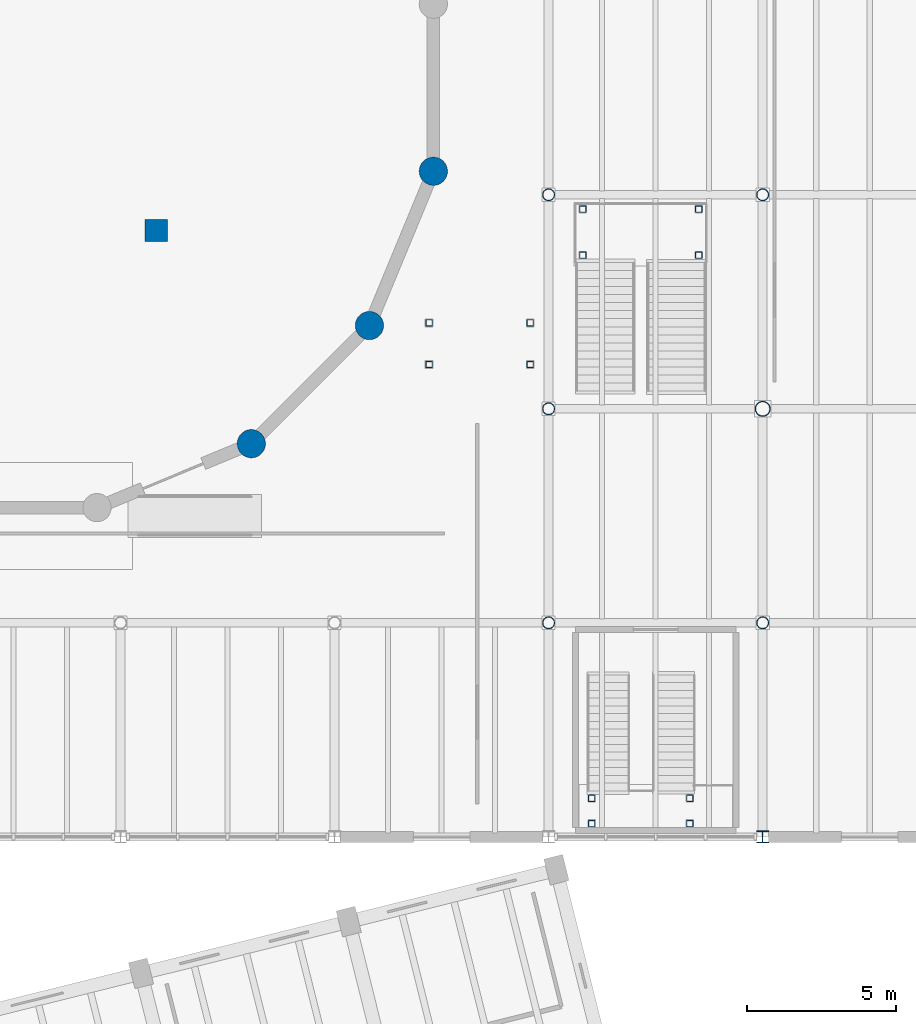
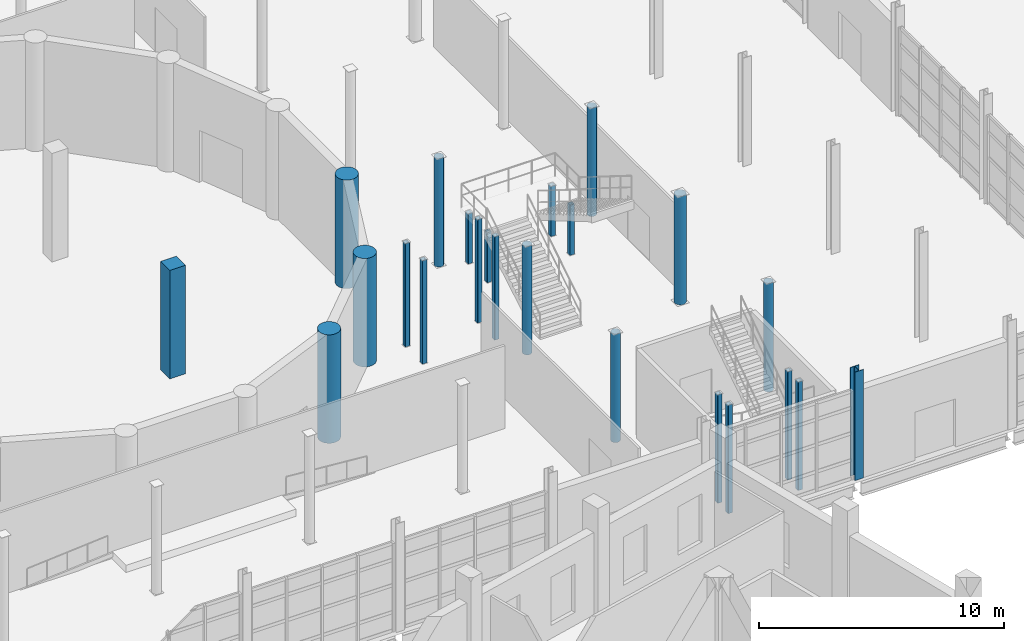
# One storey, part 7 of 79: 23 columns.
"""IFC4 building model written with IfcOpenShell, lengths in metres."""

from ifc_helpers import new_model, si_unit, direction, frame, origin, origin_2d, place, context, subcontext, project, spatial, rectangle, hollow_rectangle, circle, hollow_circle, i_section, extrude, material, material_profile, profile_set, type_object, element, save


model = new_model("IFC4")

# Units and contexts
model_context = context("Model", 3, precision=1e-05, world=origin(), true_north=direction((0.0, 1.0)))
body_context = subcontext(model_context, "Body", "Model", "MODEL_VIEW")
ifc_project = project(units=[si_unit("LENGTHUNIT", "METRE"), si_unit("AREAUNIT", "SQUARE_METRE"), si_unit("VOLUMEUNIT", "CUBIC_METRE"), si_unit("PLANEANGLEUNIT", "RADIAN"), si_unit("MASSUNIT", "GRAM", prefix="KILO")], contexts=[model_context])

# Site, building, storey
site_placement = place(None, origin())
site = spatial("IfcSite", under=ifc_project, at=site_placement, CompositionType="ELEMENT")
building_placement = place(site_placement, origin())
building = spatial("IfcBuilding", under=site, at=building_placement, Name="Qiaolan Assembly House", CompositionType="ELEMENT")
storey_placement = place(building_placement, origin())
storey = spatial("IfcBuildingStorey", under=building, at=storey_placement, Name="L00", CompositionType="ELEMENT", Elevation=0.0)

# Columns
ifc_material_1 = material(Name="Concrete C50/60", Category="concrete")
ifc_material_profile_1 = material_profile(ifc_material_1, circle(Radius=0.47509765625, at=origin_2d()), Name="CIRC D950")
ifc_profile_set_1 = profile_set([ifc_material_profile_1], Name="Concrete C50/60")
column_type_1 = type_object("IfcColumnType", Name="COL-DRUM-D950", PredefinedType="COLUMN", material=ifc_profile_set_1)
for number, where, z_axis, x_axis, name in (
    (1, (76.400146484375, 49.226806640625, 0.0), (0.0, 0.0, 1.0), (1.0, 0.0, 0.0), "DC-01 chamber drum pier 14 L00"),
    (2, (80.373046875, 53.19970703125, 0.0), (0.0, 0.0, 1.0), (1.0, 0.0, 0.0), "DC-01 chamber drum pier 15 L00"),
    (3, (82.523193359375, 58.390625, 0.0), (0.0, 0.0, 1.0), (1.0, 0.0, 0.0), "DC-01 chamber drum pier 16 L00"),
):
    element("IfcColumn", number, at=place(storey_placement, frame(where, z_axis=z_axis, x_axis=x_axis)), inside=storey, type_object=column_type_1, Name=name, PredefinedType="COLUMN", context=body_context, shape_type="SweptSolid", body=[
        extrude(circle(Radius=0.47509765625, at=origin_2d()), origin(), (0.0, 0.0, 1.0), 5.39990234375),
    ])
ifc_material_2 = material(Name="Concrete C45/55", Category="concrete")
ifc_material_profile_2 = material_profile(ifc_material_2, rectangle(XDim=0.75, YDim=0.75, at=origin_2d()), Name="RC 750x750")
ifc_profile_set_2 = profile_set([ifc_material_profile_2], Name="Concrete C45/55")
column_type_2 = type_object("IfcColumnType", Name="COL-RC-750", PredefinedType="COLUMN", material=ifc_profile_set_2)
column_1_placement = place(storey_placement, frame((73.199951171875, 56.39990234375, 0.0), z_axis=(0.0, 0.0, 1.0), x_axis=(1.0, 0.0, 0.0)))
element("IfcColumn", 4, at=column_1_placement, inside=storey, type_object=column_type_2, Name="RC-06 chamber undercroft column 2 L00", PredefinedType="COLUMN", context=body_context, shape_type="SweptSolid", body=[
    extrude(rectangle(XDim=0.75, YDim=0.75, at=origin_2d()), origin(), (0.0, 0.0, 1.0), 5.39990234375),
])
ifc_material_3 = material(Name="Steel Q355B", Category="steel")
ifc_material_profile_3 = material_profile(ifc_material_3, hollow_circle(Radius=0.203125, WallThickness=0.013916015625, at=origin_2d()), Name="CHS 406.4x14")
ifc_profile_set_3 = profile_set([ifc_material_profile_3], Name="Steel Q355B")
column_type_3 = type_object("IfcColumnType", Name="COL-STL-CHS406", PredefinedType="COLUMN", material=ifc_profile_set_3)
for number, where, z_axis, x_axis, name in (
    (5, (86.39990234375, 43.199951171875, 0.0), (0.0, 0.0, 1.0), (1.0, 0.0, 0.0), "SC-06 hall column L00"),
    (6, (86.39990234375, 50.39990234375, 0.0), (0.0, 0.0, 1.0), (1.0, 0.0, 0.0), "SC-06 hall column L00"),
    (7, (86.39990234375, 57.60009765625, 0.0), (0.0, 0.0, 1.0), (1.0, 0.0, 0.0), "SC-06 hall column L00"),
    (8, (93.60009765625, 43.199951171875, 0.0), (0.0, 0.0, 1.0), (1.0, 0.0, 0.0), "SC-06 hall column L00"),
    (9, (93.60009765625, 57.60009765625, 0.0), (0.0, 0.0, 1.0), (1.0, 0.0, 0.0), "SC-06 hall column L00"),
):
    element("IfcColumn", number, at=place(storey_placement, frame(where, z_axis=z_axis, x_axis=x_axis)), inside=storey, type_object=column_type_3, Name=name, PredefinedType="COLUMN", context=body_context, shape_type="SweptSolid", body=[
        extrude(hollow_circle(Radius=0.203125, WallThickness=0.013916015625, at=origin_2d()), origin(), (0.0, 0.0, 1.0), 5.39990234375),
    ])
ifc_material_profile_4 = material_profile(ifc_material_3, hollow_circle(Radius=0.25390625, WallThickness=0.01611328125, at=origin_2d()), Name="CHS 508x16")
ifc_profile_set_4 = profile_set([ifc_material_profile_4], Name="Steel Q355B")
column_type_4 = type_object("IfcColumnType", Name="COL-STL-CHS508", PredefinedType="COLUMN", material=ifc_profile_set_4)
column_2_placement = place(storey_placement, frame((93.60009765625, 50.39990234375, 0.0), z_axis=(0.0, 0.0, 1.0), x_axis=(1.0, 0.0, 0.0)))
element("IfcColumn", 10, at=column_2_placement, inside=storey, type_object=column_type_4, Name="SC-07 hall column L00", PredefinedType="COLUMN", context=body_context, shape_type="SweptSolid", body=[
    extrude(hollow_circle(Radius=0.25390625, WallThickness=0.01611328125, at=origin_2d()), origin(), (0.0, 0.0, 1.0), 5.39990234375),
])
ifc_material_profile_5 = material_profile(ifc_material_3, i_section(OverallWidth=0.39990234375, OverallDepth=0.39990234375, WebThickness=0.012939453125, FlangeThickness=0.02099609375, FilletRadius=0.02197265625, at=origin_2d()), Name="HW 400x400x13x21")
ifc_profile_set_5 = profile_set([ifc_material_profile_5], Name="Steel Q355B")
column_type_5 = type_object("IfcColumnType", Name="COL-STL-HW400", PredefinedType="COLUMN", material=ifc_profile_set_5)
column_3_placement = place(storey_placement, frame((93.60009765625, 36.0, 0.0), z_axis=(0.0, 0.0, 1.0), x_axis=(1.0, 0.0, 0.0)))
element("IfcColumn", 11, at=column_3_placement, inside=storey, type_object=column_type_5, Name="SC-01 hall column L00", PredefinedType="COLUMN", context=body_context, shape_type="SweptSolid", body=[
    extrude(i_section(OverallWidth=0.39990234375, OverallDepth=0.39990234375, WebThickness=0.012939453125, FlangeThickness=0.02099609375, FilletRadius=0.02197265625, at=origin_2d()), origin(), (0.0, 0.0, 1.0), 5.39990234375),
])
ifc_material_profile_6 = material_profile(ifc_material_3, hollow_rectangle(XDim=0.219970703125, YDim=0.219970703125, WallThickness=0.010009765625, InnerFilletRadius=0.010009765625, OuterFilletRadius=0.02001953125, at=origin_2d()), Name="SHS 220x220x10")
ifc_profile_set_6 = profile_set([ifc_material_profile_6], Name="Steel Q355B")
column_type_6 = type_object("IfcColumnType", Name="COL-STL-SHS220", PredefinedType="COLUMN", material=ifc_profile_set_6)
for number, where, z_axis, x_axis, name in (
    (12, (87.550048828125, 55.570068359375, 0.0), (0.0, 0.0, 1.0), (1.0, 0.0, 0.0), "SC-08 ceremonial stair support column ST-H2-1"),
    (13, (91.449951171875, 55.570068359375, 0.0), (0.0, 0.0, 1.0), (1.0, 0.0, 0.0), "SC-08 ceremonial stair support column ST-H2-2"),
    (14, (87.550048828125, 57.1201171875, 0.0), (0.0, 0.0, 1.0), (1.0, 0.0, 0.0), "SC-08 ceremonial stair support column ST-H2-3"),
    (15, (91.449951171875, 57.1201171875, 0.0), (0.0, 0.0, 1.0), (1.0, 0.0, 0.0), "SC-08 ceremonial stair support column ST-H2-4"),
):
    element("IfcColumn", number, at=place(storey_placement, frame(where, z_axis=z_axis, x_axis=x_axis)), inside=storey, type_object=column_type_6, Name=name, PredefinedType="COLUMN", context=body_context, shape_type="SweptSolid", body=[
        extrude(hollow_rectangle(XDim=0.219970703125, YDim=0.219970703125, WallThickness=0.010009765625, InnerFilletRadius=0.010009765625, OuterFilletRadius=0.02001953125, at=origin_2d()), origin(), (0.0, 0.0, 1.0), 2.5),
    ])
for number, where, z_axis, x_axis, name in (
    (16, (82.3798828125, 51.889892578125, 0.0), (0.0, 0.0, 1.0), (1.0, 0.0, 0.0), "SC-08 gallery stair L00 column 1"),
    (17, (85.780029296875, 51.889892578125, 0.0), (0.0, 0.0, 1.0), (1.0, 0.0, 0.0), "SC-08 gallery stair L00 column 2"),
    (18, (82.3798828125, 53.2900390625, 0.0), (0.0, 0.0, 1.0), (1.0, 0.0, 0.0), "SC-08 gallery stair L00 column 3"),
    (19, (85.780029296875, 53.2900390625, 0.0), (0.0, 0.0, 1.0), (1.0, 0.0, 0.0), "SC-08 gallery stair L00 column 4"),
):
    element("IfcColumn", number, at=place(storey_placement, frame(where, z_axis=z_axis, x_axis=x_axis)), inside=storey, type_object=column_type_6, Name=name, PredefinedType="COLUMN", context=body_context, shape_type="SweptSolid", body=[
        extrude(hollow_rectangle(XDim=0.219970703125, YDim=0.219970703125, WallThickness=0.010009765625, InnerFilletRadius=0.010009765625, OuterFilletRadius=0.02001953125, at=origin_2d()), origin(), (0.0, 0.0, 1.0), 5.14990234375),
    ])
for number, where, z_axis, x_axis, name in (
    (20, (87.85009765625, 36.449951171875, 0.0), (0.0, 0.0, 1.0), (1.0, 0.0, 0.0), "SC-08 foyer stair L00 column F2-1"),
    (21, (91.14990234375, 36.449951171875, 0.0), (0.0, 0.0, 1.0), (1.0, 0.0, 0.0), "SC-08 foyer stair L00 column F2-2"),
    (22, (87.85009765625, 37.300048828125, 0.0), (0.0, 0.0, 1.0), (1.0, 0.0, 0.0), "SC-08 foyer stair L00 column F2-3"),
    (23, (91.14990234375, 37.300048828125, 0.0), (0.0, 0.0, 1.0), (1.0, 0.0, 0.0), "SC-08 foyer stair L00 column F2-4"),
):
    element("IfcColumn", number, at=place(storey_placement, frame(where, z_axis=z_axis, x_axis=x_axis)), inside=storey, type_object=column_type_6, Name=name, PredefinedType="COLUMN", context=body_context, shape_type="SweptSolid", body=[
        extrude(hollow_rectangle(XDim=0.219970703125, YDim=0.219970703125, WallThickness=0.010009765625, InnerFilletRadius=0.010009765625, OuterFilletRadius=0.02001953125, at=origin_2d()), origin(), (0.0, 0.0, 1.0), 5.39990234375),
    ])

save(model, "model.ifc")
